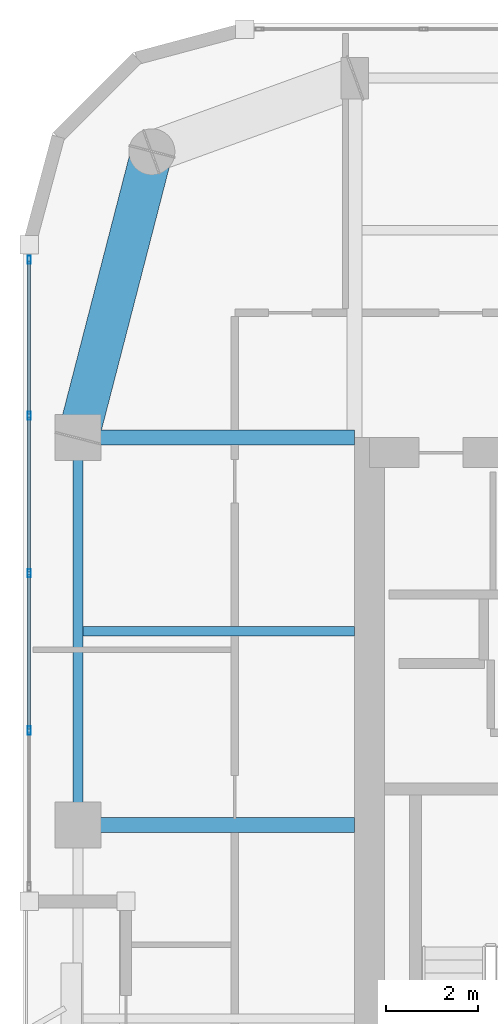
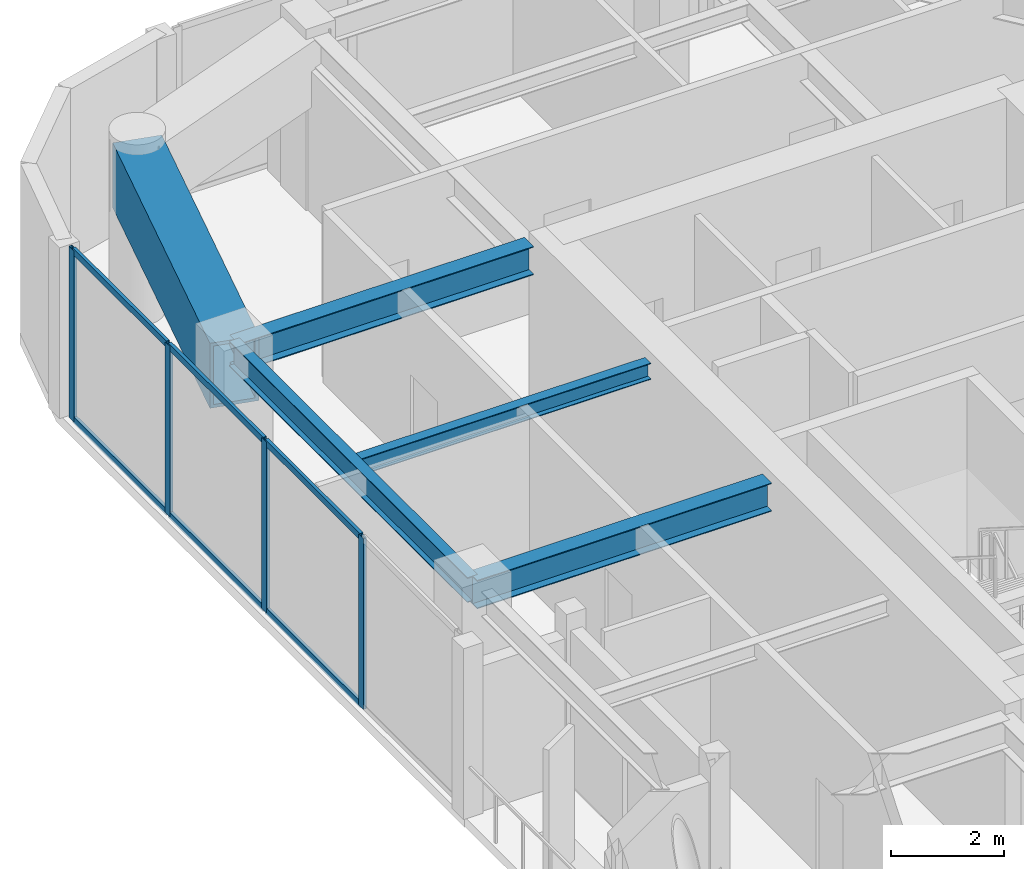
# One storey, part 4 of 15: 10 members, 5 beams, 1 element without a shape of its own.
"""IFC4 building model written with IfcOpenShell, lengths in metres."""

from ifc_helpers import new_model, si_unit, direction, frame, origin, origin_2d, place, context, subcontext, project, spatial, hollow_rectangle, i_section, extrude, material, layer, layer_set, material_profile, profile_set, type_object, element, aggregate, save


model = new_model("IFC4")

# Units and contexts
model_context = context("Model", 3, precision=1e-05, world=origin(), true_north=direction((0.0, 1.0)))
body_context = subcontext(model_context, "Body", "Model", "MODEL_VIEW")
ifc_project = project(units=[si_unit("LENGTHUNIT", "METRE"), si_unit("AREAUNIT", "SQUARE_METRE"), si_unit("VOLUMEUNIT", "CUBIC_METRE"), si_unit("PLANEANGLEUNIT", "RADIAN"), si_unit("MASSUNIT", "GRAM", prefix="KILO")], contexts=[model_context])

# Site, building, storey
site_placement = place(None, origin())
site = spatial("IfcSite", under=ifc_project, at=site_placement, CompositionType="ELEMENT")
building_placement = place(site_placement, origin())
building = spatial("IfcBuilding", under=site, at=building_placement, Name="Kiyonajd Concourse Tower", CompositionType="ELEMENT")
storey_placement = place(building_placement, frame((0.0, 0.0, 258.89990234375)))
storey = spatial("IfcBuildingStorey", under=building, at=storey_placement, Name="L65", CompositionType="ELEMENT", Elevation=258.89990234375)

# Beams
ifc_material_1 = material(Name="Steel ASTM A992 Grade 50", Category="steel")
ifc_material_profile_1 = material_profile(ifc_material_1, i_section(OverallWidth=0.205078125, OverallDepth=0.35400390625, WebThickness=0.009521484375, FlangeThickness=0.016845703125, at=origin_2d()), Name="W360X79")
ifc_profile_set_1 = profile_set([ifc_material_profile_1], Name="Steel ASTM A992 Grade 50")
beam_type_1 = type_object("IfcBeamType", Name="BM-JST-360", PredefinedType="JOIST", material=ifc_profile_set_1)
beam_1_placement = place(storey_placement, frame((26.505615234375, 40.199951171875, 3.503173828125), z_axis=(1.0, 0.0, 0.0), x_axis=(0.0, 1.0, 0.0)))
element("IfcBeam", 1, at=beam_1_placement, inside=storey, type_object=beam_type_1, Name="L65 West Secondary Floor Joist", PredefinedType="JOIST", context=body_context, shape_type="SweptSolid", body=[
    extrude(i_section(OverallWidth=0.205078125, OverallDepth=0.35400390625, WebThickness=0.009521484375, FlangeThickness=0.016845703125, at=origin_2d()), origin(), (0.0, 0.0, 1.0), 5.894287109375),
])
ifc_material_profile_2 = material_profile(ifc_material_1, i_section(OverallWidth=0.2109375, OverallDepth=0.5390625, WebThickness=0.01171875, FlangeThickness=0.018798828125, at=origin_2d()), Name="W530X109")
ifc_profile_set_2 = profile_set([ifc_material_profile_2], Name="Steel ASTM A992 Grade 50")
beam_type_2 = type_object("IfcBeamType", Name="BM-SPAN-530B", PredefinedType="SPANDREL", material=ifc_profile_set_2)
beam_2_placement = place(storey_placement, frame((26.39990234375, 44.39990234375, 3.41064453125), z_axis=(0.0, -1.0, 0.0), x_axis=(1.0, 0.0, 0.0)))
element("IfcBeam", 2, at=beam_2_placement, inside=storey, type_object=beam_type_2, Name="L65 Perimeter Bundled Tube Spandrel", PredefinedType="SPANDREL", context=body_context, shape_type="SweptSolid", body=[
    extrude(i_section(OverallWidth=0.2109375, OverallDepth=0.5390625, WebThickness=0.01171875, FlangeThickness=0.018798828125, at=origin_2d()), origin(), (0.0, 0.0, 1.0), 8.39990234375),
])
ifc_material_profile_3 = material_profile(ifc_material_1, i_section(OverallWidth=0.323974609375, OverallDepth=0.611083984375, WebThickness=0.0126953125, FlangeThickness=0.01904296875, at=origin_2d()), Name="W610X155")
ifc_profile_set_3 = profile_set([ifc_material_profile_3], Name="Steel ASTM A992 Grade 50")
beam_type_3 = type_object("IfcBeamType", Name="BM-TWR-610B", PredefinedType="BEAM", material=ifc_profile_set_3)
for number, where, z_axis, x_axis, name in (
    (3, (26.39990234375, 36.0, 3.37451171875), (1.0, 0.0, 0.0), (0.0, 1.0, 0.0), "L65 West Lease Girder"),
    (4, (26.39990234375, 44.39990234375, 3.37451171875), (1.0, 0.0, 0.0), (0.0, 1.0, 0.0), "L65 West Lease Girder"),
):
    element("IfcBeam", number, at=place(storey_placement, frame(where, z_axis=z_axis, x_axis=x_axis)), inside=storey, type_object=beam_type_3, Name=name, PredefinedType="BEAM", context=body_context, shape_type="SweptSolid", body=[
        extrude(i_section(OverallWidth=0.323974609375, OverallDepth=0.611083984375, WebThickness=0.0126953125, FlangeThickness=0.01904296875, at=origin_2d()), origin(), (0.0, 0.0, 1.0), 6.0),
    ])
ifc_material_2 = material(Name="Steel ASTM A572 Grade 50", Category="steel")
ifc_material_profile_4 = material_profile(ifc_material_2, hollow_rectangle(XDim=0.89990234375, YDim=1.39990234375, WallThickness=0.070068359375, at=origin_2d()), Name="BOX-1400x900x70")
ifc_profile_set_4 = profile_set([ifc_material_profile_4], Name="Steel ASTM A572 Grade 50")
beam_type_4 = type_object("IfcBeamType", Name="BM-XFER-1400", PredefinedType="BEAM", material=ifc_profile_set_4)
beam_3_placement = place(storey_placement, frame((28.0, 50.60009765625, 2.97998046875), z_axis=(-0.249884937687, -0.968275538221, 0.0), x_axis=(0.968275538221, -0.249884937687, 0.0)))
element("IfcBeam", 5, at=beam_3_placement, inside=storey, type_object=beam_type_4, Name="L65 Perimeter Bundled Tube Spandrel", PredefinedType="BEAM", context=body_context, shape_type="SweptSolid", body=[
    extrude(hollow_rectangle(XDim=0.89990234375, YDim=1.39990234375, WallThickness=0.070068359375, at=origin_2d()), origin(), (0.0, 0.0, 1.0), 6.4033203125),
])

# Curtain wall, members
ifc_material_3 = material(Name="Thermally Broken Anodised Aluminium", Category="aluminium")
ifc_layer = layer(ifc_material_3, 0.179931640625)
ifc_layer_set = layer_set([ifc_layer], Name="Thermally Broken Anodised Aluminium")
curtain_wall_type = type_object("IfcCurtainWallType", Name="CW-SYS-04", PredefinedType="NOTDEFINED", material=ifc_layer_set)
curtain_wall_placement = place(storey_placement, origin())
curtain_wall = element("IfcCurtainWall", 6, at=curtain_wall_placement, inside=storey, type_object=curtain_wall_type, Name="L65 Unitised Curtain Wall CW4", PredefinedType="NOTDEFINED")
ifc_material_profile_5 = material_profile(ifc_material_3, hollow_rectangle(XDim=0.06494140625, YDim=0.179931640625, WallThickness=0.00390625, at=origin_2d()), Name="MULL-65x180")
ifc_profile_set_5 = profile_set([ifc_material_profile_5], Name="Thermally Broken Anodised Aluminium")
member_type_1 = type_object("IfcMemberType", Name="MB-CW-MULL1", PredefinedType="MULLION", material=ifc_profile_set_5)
member_1_placement = place(storey_placement, frame((25.340087890625, 38.04541015625, 0.0), z_axis=(0.0, 0.0, 1.0), x_axis=(-1.0, 0.0, 0.0)))
member_1 = element("IfcMember", 7, at=member_1_placement, type_object=member_type_1, Name="CW4 mullion 2", PredefinedType="MULLION", context=body_context, shape_type="SweptSolid", body=[
    extrude(hollow_rectangle(XDim=0.06494140625, YDim=0.179931640625, WallThickness=0.00390625, at=origin_2d()), origin(), (0.0, 0.0, 1.0), 3.68017578125),
])
member_2_placement = place(storey_placement, frame((25.340087890625, 41.460693359375, 0.0), z_axis=(0.0, 0.0, 1.0), x_axis=(-1.0, 0.0, 0.0)))
member_2 = element("IfcMember", 8, at=member_2_placement, type_object=member_type_1, Name="CW4 mullion 3", PredefinedType="MULLION", context=body_context, shape_type="SweptSolid", body=[
    extrude(hollow_rectangle(XDim=0.06494140625, YDim=0.179931640625, WallThickness=0.00390625, at=origin_2d()), origin(), (0.0, 0.0, 1.0), 3.68017578125),
])
member_3_placement = place(storey_placement, frame((25.340087890625, 44.876220703125, 0.0), z_axis=(0.0, 0.0, 1.0), x_axis=(-1.0, 0.0, 0.0)))
member_3 = element("IfcMember", 9, at=member_3_placement, type_object=member_type_1, Name="CW4 mullion 4", PredefinedType="MULLION", context=body_context, shape_type="SweptSolid", body=[
    extrude(hollow_rectangle(XDim=0.06494140625, YDim=0.179931640625, WallThickness=0.00390625, at=origin_2d()), origin(), (0.0, 0.0, 1.0), 3.68017578125),
])
member_4_placement = place(storey_placement, frame((25.340087890625, 48.259033203125, 0.0), z_axis=(0.0, 0.0, 1.0), x_axis=(-1.0, 0.0, 0.0)))
member_4 = element("IfcMember", 10, at=member_4_placement, type_object=member_type_1, Name="CW4 mullion 5", PredefinedType="MULLION", context=body_context, shape_type="SweptSolid", body=[
    extrude(hollow_rectangle(XDim=0.06494140625, YDim=0.179931640625, WallThickness=0.00390625, at=origin_2d()), origin(), (0.0, 0.0, 1.0), 3.68017578125),
])
ifc_material_profile_6 = material_profile(ifc_material_3, hollow_rectangle(XDim=0.06494140625, YDim=0.139892578125, WallThickness=0.00390625, at=origin_2d()), Name="TRAN-65x140")
ifc_profile_set_6 = profile_set([ifc_material_profile_6], Name="Thermally Broken Anodised Aluminium")
member_type_2 = type_object("IfcMemberType", Name="MB-CW-TRAN1", PredefinedType="USERDEFINED", material=ifc_profile_set_6)
member_5_placement = place(storey_placement, frame((25.340087890625, 38.077880859375, 0.03271484375), z_axis=(0.0, 1.0, 0.0), x_axis=(-1.0, 0.0, 0.0)))
member_5 = element("IfcMember", 11, at=member_5_placement, type_object=member_type_2, Name="CW4 transom 2.1", ObjectType="TRANSOM", PredefinedType="USERDEFINED", context=body_context, shape_type="SweptSolid", body=[
    extrude(hollow_rectangle(XDim=0.06494140625, YDim=0.139892578125, WallThickness=0.00390625, at=origin_2d()), origin(), (0.0, 0.0, 1.0), 3.350341796875),
])
member_6_placement = place(storey_placement, frame((25.340087890625, 38.077880859375, 3.647705078125), z_axis=(0.0, 1.0, 0.0), x_axis=(-1.0, 0.0, 0.0)))
member_6 = element("IfcMember", 12, at=member_6_placement, type_object=member_type_2, Name="CW4 transom 2.2", ObjectType="TRANSOM", PredefinedType="USERDEFINED", context=body_context, shape_type="SweptSolid", body=[
    extrude(hollow_rectangle(XDim=0.06494140625, YDim=0.139892578125, WallThickness=0.00390625, at=origin_2d()), origin(), (0.0, 0.0, 1.0), 3.350341796875),
])
member_7_placement = place(storey_placement, frame((25.340087890625, 41.493408203125, 0.03271484375), z_axis=(0.0, 1.0, 0.0), x_axis=(-1.0, 0.0, 0.0)))
member_7 = element("IfcMember", 13, at=member_7_placement, type_object=member_type_2, Name="CW4 transom 3.1", ObjectType="TRANSOM", PredefinedType="USERDEFINED", context=body_context, shape_type="SweptSolid", body=[
    extrude(hollow_rectangle(XDim=0.06494140625, YDim=0.139892578125, WallThickness=0.00390625, at=origin_2d()), origin(), (0.0, 0.0, 1.0), 3.350341796875),
])
member_8_placement = place(storey_placement, frame((25.340087890625, 41.493408203125, 3.647705078125), z_axis=(0.0, 1.0, 0.0), x_axis=(-1.0, 0.0, 0.0)))
member_8 = element("IfcMember", 14, at=member_8_placement, type_object=member_type_2, Name="CW4 transom 3.2", ObjectType="TRANSOM", PredefinedType="USERDEFINED", context=body_context, shape_type="SweptSolid", body=[
    extrude(hollow_rectangle(XDim=0.06494140625, YDim=0.139892578125, WallThickness=0.00390625, at=origin_2d()), origin(), (0.0, 0.0, 1.0), 3.350341796875),
])
member_9_placement = place(storey_placement, frame((25.340087890625, 44.90869140625, 0.03271484375), z_axis=(0.0, 1.0, 0.0), x_axis=(-1.0, 0.0, 0.0)))
member_9 = element("IfcMember", 15, at=member_9_placement, type_object=member_type_2, Name="CW4 transom 4.1", ObjectType="TRANSOM", PredefinedType="USERDEFINED", context=body_context, shape_type="SweptSolid", body=[
    extrude(hollow_rectangle(XDim=0.06494140625, YDim=0.139892578125, WallThickness=0.00390625, at=origin_2d()), origin(), (0.0, 0.0, 1.0), 3.31787109375),
])
member_10_placement = place(storey_placement, frame((25.340087890625, 44.90869140625, 3.647705078125), z_axis=(0.0, 1.0, 0.0), x_axis=(-1.0, 0.0, 0.0)))
member_10 = element("IfcMember", 16, at=member_10_placement, type_object=member_type_2, Name="CW4 transom 4.2", ObjectType="TRANSOM", PredefinedType="USERDEFINED", context=body_context, shape_type="SweptSolid", body=[
    extrude(hollow_rectangle(XDim=0.06494140625, YDim=0.139892578125, WallThickness=0.00390625, at=origin_2d()), origin(), (0.0, 0.0, 1.0), 3.31787109375),
])
aggregate(curtain_wall, [member_1, member_2, member_3, member_4, member_5, member_6, member_7, member_8, member_9, member_10])

save(model, "model.ifc")
